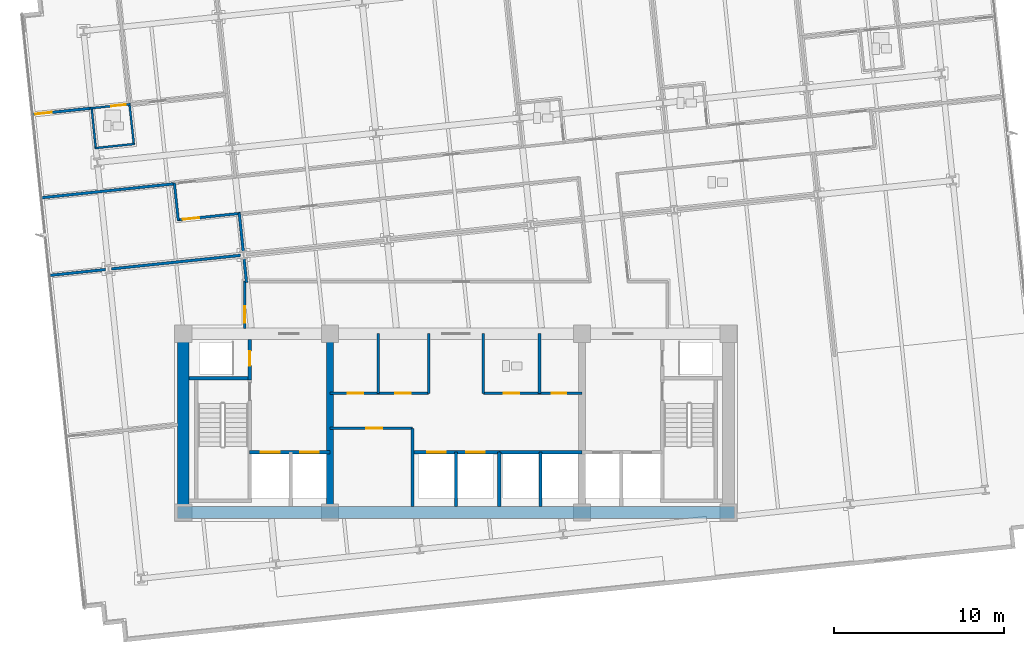
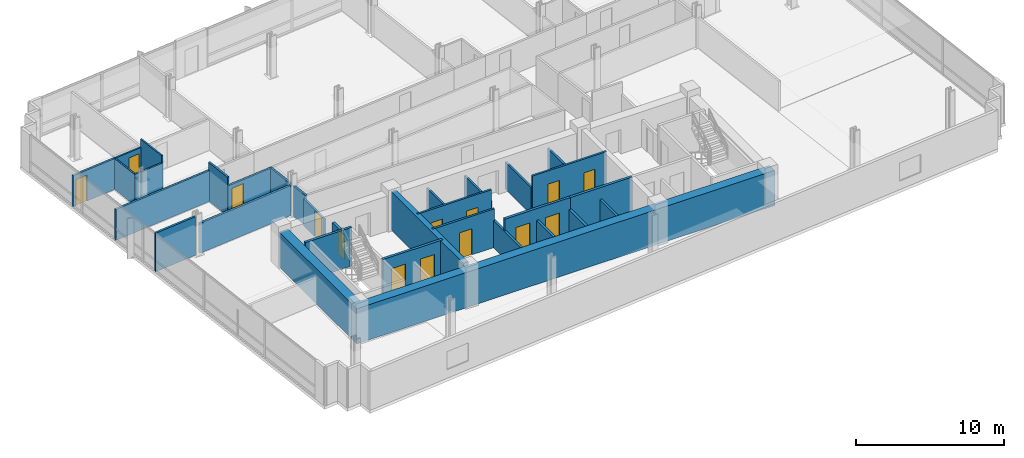
# One storey, part 10 of 18: 32 walls, 14 doors, 14 openings.
"""IFC4 building model written with IfcOpenShell, lengths in metres."""

import ifcopenshell
import ifcopenshell.guid

model = None  # the IFC model being written
_history = None  # IfcOwnerHistory: only IFC2X3 demands one
_inside = {}  # id of a spatial element -> (the spatial element, [elements in it])
_under = {}  # id of a project, library or spatial element -> (it, [spatial elements below it])
_declared = {}  # id of a project -> (the project, [libraries it declares])
_typed = {}  # id of a type object -> (the type object, [elements of that type])
_made_of = {}  # id of a material, layer set ... -> (it, [elements and type objects made of it])


def new_model(schema):
    """Start an empty IFC model of exactly this schema.

    Asked for "IFC4X3", IfcOpenShell would pick the latest addendum, in which some entities
    have other attributes; the version numbers below select the first issue.
    IFC2X3 requires an IfcOwnerHistory on every rooted entity: one is made here for all.
    """
    global model, _history
    if schema == "IFC4X3":
        model = ifcopenshell.file(schema_version=(4, 3, 0, 0))
    else:
        model = ifcopenshell.file(schema=schema)
    _inside.clear()
    _under.clear()
    _declared.clear()
    _typed.clear()
    _made_of.clear()
    _history = None
    if model.schema == "IFC2X3":
        org = make("IfcOrganization", Name="unknown")
        user = make(
            "IfcPersonAndOrganization",
            ThePerson=make("IfcPerson", FamilyName="unknown"),
            TheOrganization=org,
        )
        app = make(
            "IfcApplication",
            ApplicationDeveloper=org,
            Version="unknown",
            ApplicationFullName="unknown",
            ApplicationIdentifier="unknown",
        )
        _history = make(
            "IfcOwnerHistory",
            OwningUser=user,
            OwningApplication=app,
            ChangeAction="ADDED",
            CreationDate=0,
        )
    return model


def make(cls, **values):
    """One entity of the class cls with the attributes given. An attribute that is None is left unset."""
    return model.create_entity(
        cls, **{name: value for name, value in values.items() if value is not None}
    )


def rooted(cls, **values):
    """An entity with a GlobalId (a new one), such as an element, a storey or a relation."""
    return make(cls, GlobalId=ifcopenshell.guid.new(), OwnerHistory=_history, **values)


def si_unit(unit_type, name, prefix=None):
    """IfcSIUnit, for example si_unit("LENGTHUNIT", "METRE", prefix="MILLI")."""
    return make("IfcSIUnit", UnitType=unit_type, Prefix=prefix, Name=name)


def assignment(units):
    """IfcUnitAssignment: the units of a project."""
    return None if units is None else make("IfcUnitAssignment", Units=units)


def point(xyz):
    """IfcCartesianPoint."""
    return None if xyz is None else make("IfcCartesianPoint", Coordinates=xyz)


def direction(xyz):
    """IfcDirection."""
    return None if xyz is None else make("IfcDirection", DirectionRatios=xyz)


def frame(location, z_axis=None, x_axis=None):
    """IfcAxis2Placement3D, a coordinate frame: its origin and axes. An axis left out is left unset."""
    return make(
        "IfcAxis2Placement3D",
        Location=point(location),
        Axis=direction(z_axis),
        RefDirection=direction(x_axis),
    )


def frame_2d(location, x_axis=None):
    """IfcAxis2Placement2D, a coordinate frame in the plane: its origin and x axis."""
    return make(
        "IfcAxis2Placement2D", Location=point(location), RefDirection=direction(x_axis)
    )


def origin():
    """The frame at (0, 0, 0) with its axes left unset."""
    return frame((0.0, 0.0, 0.0))


def place(relative_to, where):
    """IfcLocalPlacement: puts the frame where relative to a parent placement (None: the world)."""
    return make(
        "IfcLocalPlacement", PlacementRelTo=relative_to, RelativePlacement=where
    )


def context(
    kind, dimensions, precision=None, world=None, true_north=None, identifier=None
):
    """IfcGeometricRepresentationContext, for example the 3D "Model" context."""
    return make(
        "IfcGeometricRepresentationContext",
        ContextIdentifier=identifier,
        ContextType=kind,
        CoordinateSpaceDimension=dimensions,
        Precision=precision,
        WorldCoordinateSystem=world,
        TrueNorth=true_north,
    )


def subcontext(parent, identifier, kind, view, scale=None):
    """IfcGeometricRepresentationSubContext, for example "Body" below "Model"."""
    return make(
        "IfcGeometricRepresentationSubContext",
        ContextIdentifier=identifier,
        ContextType=kind,
        ParentContext=parent,
        TargetScale=scale,
        TargetView=view,
    )


def project(units=None, contexts=None):
    """IfcProject with its units and contexts."""
    return rooted(
        "IfcProject",
        Name="project",
        RepresentationContexts=contexts,
        UnitsInContext=assignment(units),
    )


def spatial(cls, under=None, at=None, **own):
    """A site, building, storey or space (cls), placed at a placement, below another one or the project."""
    s = rooted(cls, ObjectPlacement=at, **own)
    if under is not None:
        _under.setdefault(under.id(), (under, []))[1].append(s)
    return s


def profile(cls, at=None, kind="AREA", **sizes):
    """A parametric profile (cls). Its sizes go by their IFC names, for example OverallWidth=200.0."""
    return make(cls, ProfileType=kind, Position=at, **sizes)


def rectangle(**sizes):
    """IfcRectangleProfileDef."""
    return profile("IfcRectangleProfileDef", **sizes)


def extrude(swept, where, along, depth):
    """IfcExtrudedAreaSolid: the profile swept, set in the frame where, extruded along a direction by depth."""
    return make(
        "IfcExtrudedAreaSolid",
        SweptArea=swept,
        Position=where,
        ExtrudedDirection=direction(along),
        Depth=depth,
    )


def shape(context_of_items, identifier, shape_type, items):
    """IfcShapeRepresentation: the items that make up one representation, for example the "Body"."""
    return make(
        "IfcShapeRepresentation",
        ContextOfItems=context_of_items,
        RepresentationIdentifier=identifier,
        RepresentationType=shape_type,
        Items=items,
    )


def material(Name=None, Category=None):
    """IfcMaterial."""
    return make("IfcMaterial", Name=Name, Category=Category)


def layer(
    of_material, thickness, ventilated=None, Name=None, Category=None, Priority=None
):
    """IfcMaterialLayer: one layer of a wall or slab, of a material (None: an air gap)."""
    return make(
        "IfcMaterialLayer",
        Material=of_material,
        LayerThickness=thickness,
        IsVentilated=ventilated,
        Name=Name,
        Category=Category,
        Priority=Priority,
    )


def layer_set(layers, Name=None):
    """IfcMaterialLayerSet."""
    return make("IfcMaterialLayerSet", MaterialLayers=layers, LayerSetName=Name)


def made_of(thing, what):
    """Note that an element or type object is made of a material, layer set ...; save() writes the relation."""
    if what is not None:
        _made_of.setdefault(what.id(), (what, []))[1].append(thing)
    return thing


def type_object(cls, material=None, **own):
    """A type object (cls), such as IfcWallType, which elements share."""
    return made_of(rooted(cls, **own), material)


def element(
    cls,
    number,
    at=None,
    inside=None,
    cuts=None,
    type_object=None,
    material=None,
    context=None,
    identifier="Body",
    shape_type=None,
    held_by="IfcProductDefinitionShape",
    body=None,
    shapes=None,
    **own,
):
    """One element of the class cls, such as IfcWall. Its Tag is "e" and its number.

    at: its placement. inside: the storey or other place that contains it. cuts: it is an
    opening in that element (IfcRelVoidsElement). A single representation is given by context,
    identifier, shape_type and body (its items); several are given by shapes. held_by: the class
    of the entity that holds the representations. save() writes the other relations.
    """
    e = rooted(cls, Tag="e%d" % number, ObjectPlacement=at, **own)
    if body is not None:
        shapes = [shape(context, identifier, shape_type, body)]
    if shapes is not None:
        e.Representation = make(held_by, Representations=shapes)
    if inside is not None:
        _inside.setdefault(inside.id(), (inside, []))[1].append(e)
    if cuts is not None:
        rooted(
            "IfcRelVoidsElement", RelatingBuildingElement=cuts, RelatedOpeningElement=e
        )
    if type_object is not None:
        _typed.setdefault(type_object.id(), (type_object, []))[1].append(e)
    return made_of(e, material)


def fill(opening, filler):
    """IfcRelFillsElement: the door or window that sits in an opening."""
    return rooted(
        "IfcRelFillsElement",
        RelatingOpeningElement=opening,
        RelatedBuildingElement=filler,
    )


def aggregate(whole, parts):
    """IfcRelAggregates: a whole, such as a stair, and the parts it consists of."""
    return rooted("IfcRelAggregates", RelatingObject=whole, RelatedObjects=parts)


def save(model, path):
    """Write the relations noted so far, then the file.

    IfcRelAggregates (storeys below a building ...), IfcRelContainedInSpatialStructure (elements
    in a storey), IfcRelDefinesByType, IfcRelAssociatesMaterial and IfcRelDeclares: one each for
    every whole, place, type object, material and project.
    """
    for whole, parts in _under.values():
        aggregate(whole, parts)
    for where, things in _inside.values():
        rooted(
            "IfcRelContainedInSpatialStructure",
            RelatedElements=things,
            RelatingStructure=where,
        )
    for kind, things in _typed.values():
        rooted("IfcRelDefinesByType", RelatedObjects=things, RelatingType=kind)
    for what, things in _made_of.values():
        rooted("IfcRelAssociatesMaterial", RelatedObjects=things, RelatingMaterial=what)
    for by, libraries in _declared.values():
        rooted("IfcRelDeclares", RelatingContext=by, RelatedDefinitions=libraries)
    model.write(path)


model = new_model("IFC4")

# Units and contexts
model_context = context("Model", 3, precision=1e-05, world=origin(), true_north=direction((0.0, 1.0)))
body_context = subcontext(model_context, "Body", "Model", "MODEL_VIEW")
ifc_project = project(units=[si_unit("LENGTHUNIT", "METRE"), si_unit("AREAUNIT", "SQUARE_METRE"), si_unit("VOLUMEUNIT", "CUBIC_METRE"), si_unit("PLANEANGLEUNIT", "RADIAN"), si_unit("MASSUNIT", "GRAM", prefix="KILO")], contexts=[model_context])

# Site, building, storey
site_placement = place(None, origin())
site = spatial("IfcSite", under=ifc_project, at=site_placement, CompositionType="ELEMENT")
building_placement = place(site_placement, origin())
building = spatial("IfcBuilding", under=site, at=building_placement, Name="Solmavex Isthmus Hotel", CompositionType="ELEMENT")
storey_placement = place(building_placement, frame((0.0, 0.0, 123.60009765625)))
storey = spatial("IfcBuildingStorey", under=building, at=storey_placement, Name="L33", CompositionType="ELEMENT", Elevation=123.60009765625)

# Wall, opening, door
ifc_material_1 = material(Name="Gypsum plasterboard lining", Category="gypsum")
ifc_layer_1 = layer(ifc_material_1, 0.159912109375)
ifc_layer_set_1 = layer_set([ifc_layer_1], Name="Gypsum plasterboard lining")
wall_type_1 = type_object("IfcWallType", Name="IW-COMP-160", PredefinedType="PARTITIONING", material=ifc_layer_set_1)
wall_1_placement = place(storey_placement, frame((-7.39990234375, -8.050048828125, 0.0), z_axis=(0.0, 0.0, 1.0), x_axis=(1.0, 0.0, 0.0)))
wall_1 = element("IfcWall", 1, at=wall_1_placement, inside=storey, type_object=wall_type_1, Name="Interior Partition Wall W-L33-REC-PLL-N", PredefinedType="PARTITIONING", context=body_context, shape_type="SweptSolid", body=[
    extrude(rectangle(XDim=4.849853515625, YDim=0.159912109375, at=frame_2d((2.4248046875, 0.0))), origin(), (0.0, 0.0, 1.0), 3.18994140625),
])
opening_1_placement = place(wall_1_placement, frame((2.125, 0.0, 0.0)))
opening_1 = element("IfcOpeningElement", 2, at=opening_1_placement, cuts=wall_1, Name="Opening ID-C095", PredefinedType="OPENING", context=body_context, shape_type="SweptSolid", body=[
    extrude(rectangle(XDim=0.949951171875, YDim=2.14990234375, at=frame_2d((0.47509765625, 1.074951171875))), frame((0.0, 0.08984375, 0.0), z_axis=(0.0, -1.0, 0.0), x_axis=(1.0, 0.0, 0.0)), (0.0, 0.0, 1.0), 0.179931640625),
])
ifc_material_2 = material(Name="Hardwood timber", Category="wood")
door_type_1 = type_object("IfcDoorType", Name="IDR-FD60-0950", OperationType="NOTDEFINED", PredefinedType="DOOR", material=ifc_material_2)
door_1_placement = place(opening_1_placement, origin())
door_1 = element("IfcDoor", 3, at=door_1_placement, inside=storey, type_object=door_type_1, Name="Linen Reserve Door L33", OperationType="SINGLE_SWING_LEFT", OverallHeight=2.14990234375, OverallWidth=0.949951171875, PredefinedType="DOOR", context=body_context, shape_type="SweptSolid", body=[
    extrude(rectangle(XDim=0.949951171875, YDim=2.14990234375, at=frame_2d((0.47509765625, 1.074951171875))), frame((0.0, 0.02490234375, 0.0), z_axis=(0.0, -1.0, 0.0), x_axis=(1.0, 0.0, 0.0)), (0.0, 0.0, 1.0), 0.050048828125),
])
fill(opening_1, door_1)

# Wall
wall_2_placement = place(storey_placement, frame((-2.550048828125, -12.64990234375, 0.0), z_axis=(0.0, 0.0, 1.0), x_axis=(0.0, 1.0, 0.0)))
element("IfcWall", 4, at=wall_2_placement, inside=storey, type_object=wall_type_1, Name="Interior Partition Wall W-L33-REC-PLL-E", PredefinedType="PARTITIONING", context=body_context, shape_type="SweptSolid", body=[
    extrude(rectangle(XDim=4.599853515625, YDim=0.159912109375, at=frame_2d((2.2998046875, 0.0))), origin(), (0.0, 0.0, 1.0), 2.224853515625),
])

# Wall, opening, door
wall_3_placement = place(storey_placement, frame((-24.876708984375, 10.36376953125, 0.0), z_axis=(0.0, 0.0, 1.0), x_axis=(0.994521206634, 0.104535015934, 0.0)))
wall_3 = element("IfcWall", 5, at=wall_3_placement, inside=storey, type_object=wall_type_1, Name="Interior Partition Wall W-L33-P022", PredefinedType="PARTITIONING", context=body_context, shape_type="SweptSolid", body=[
    extrude(rectangle(XDim=3.56396484375, YDim=0.159912109375, at=frame_2d((1.781982421875, 0.0))), origin(), (0.0, 0.0, 1.0), 2.55322265625),
])
opening_2_placement = place(wall_3_placement, frame((0.2099609375, 0.0, 0.0)))
opening_2 = element("IfcOpeningElement", 6, at=opening_2_placement, cuts=wall_3, Name="Opening ID-C095", PredefinedType="OPENING", context=body_context, shape_type="SweptSolid", body=[
    extrude(rectangle(XDim=0.949951171875, YDim=2.14990234375, at=frame_2d((0.47509765625, 1.074951171875))), frame((0.0, 0.08984375, 0.0), z_axis=(0.0, -1.0, 0.0), x_axis=(1.0, 0.0, 0.0)), (0.0, 0.0, 1.0), 0.179931640625),
])
door_2_placement = place(opening_2_placement, origin())
door_2 = element("IfcDoor", 7, at=door_2_placement, inside=storey, type_object=door_type_1, Name="Premier Corner Suite Bedroom Door L33-02", OperationType="SINGLE_SWING_RIGHT", OverallHeight=2.14990234375, OverallWidth=0.949951171875, PredefinedType="DOOR", context=body_context, shape_type="SweptSolid", body=[
    extrude(rectangle(XDim=0.949951171875, YDim=2.14990234375, at=frame_2d((0.47509765625, 1.074951171875))), frame((0.0, 0.02490234375, 0.0), z_axis=(0.0, -1.0, 0.0), x_axis=(1.0, 0.0, 0.0)), (0.0, 0.0, 1.0), 0.050048828125),
])
fill(opening_2, door_2)

# Walls
wall_4_placement = place(storey_placement, frame((-16.47802734375, 6.301513671875, 0.0), z_axis=(0.0, 0.0, 1.0), x_axis=(-0.994519786396, -0.104548526856, 0.0)))
element("IfcWall", 8, at=wall_4_placement, inside=storey, type_object=wall_type_1, Name="Interior Partition Wall W-L33-P029", PredefinedType="PARTITIONING", context=body_context, shape_type="SweptSolid", body=[
    extrude(rectangle(XDim=7.927978515625, YDim=0.159912109375, at=frame_2d((3.9638671875, 0.0))), origin(), (0.0, 0.0, 1.0), 2.55322265625),
])
wall_5_placement = place(storey_placement, frame((-12.718994140625, 4.594970703125, 0.0), z_axis=(0.0, 0.0, 1.0), x_axis=(0.104569435529, -0.994517588157, 0.0)))
element("IfcWall", 9, at=wall_5_placement, inside=storey, type_object=wall_type_1, Name="Interior Partition Wall W-L33-P059", PredefinedType="PARTITIONING", context=body_context, shape_type="SweptSolid", body=[
    extrude(rectangle(XDim=2.313720703125, YDim=0.159912109375, at=frame_2d((1.15673828125, 0.0))), origin(), (0.0, 0.0, 1.0), 2.4794921875),
])
wall_6_placement = place(storey_placement, frame((-20.558349609375, 1.267333984375, 0.0), z_axis=(0.0, 0.0, 1.0), x_axis=(-0.99451904707, -0.10455555946, 0.0)))
element("IfcWall", 10, at=wall_6_placement, inside=storey, type_object=wall_type_1, Name="Interior Partition Wall W-L33-P060", PredefinedType="PARTITIONING", context=body_context, shape_type="SweptSolid", body=[
    extrude(rectangle(XDim=3.34375, YDim=0.159912109375, at=frame_2d((1.671875, 0.0))), origin(), (0.0, 0.0, 1.0), 3.18994140625),
])
wall_7_placement = place(storey_placement, frame((-12.634033203125, 2.10009765625, 0.0), z_axis=(0.0, 0.0, 1.0), x_axis=(-0.994524056968, -0.104507894972, 0.0)))
element("IfcWall", 11, at=wall_7_placement, inside=storey, type_object=wall_type_1, Name="Interior Partition Wall W-L33-P061", PredefinedType="PARTITIONING", context=body_context, shape_type="SweptSolid", body=[
    extrude(rectangle(XDim=7.61572265625, YDim=0.159912109375, at=frame_2d((3.807861328125, 0.0))), origin(), (0.0, 0.0, 1.0), 2.4794921875),
])
wall_8_placement = place(storey_placement, frame((-12.289794921875, 0.51025390625, 0.0), z_axis=(0.0, 0.0, 1.0), x_axis=(-0.104534854339, 0.994521223619, 0.0)))
element("IfcWall", 12, at=wall_8_placement, inside=storey, type_object=wall_type_1, Name="Interior Partition Wall W-L33-P065", PredefinedType="PARTITIONING", context=body_context, shape_type="SweptSolid", body=[
    extrude(rectangle(XDim=1.44091796875, YDim=0.159912109375, at=frame_2d((0.720458984375, 0.0))), origin(), (0.0, 0.0, 1.0), 2.4794921875),
])

# Wall, openings, doors
ifc_layer_2 = layer(ifc_material_1, 0.14990234375)
ifc_layer_set_2 = layer_set([ifc_layer_2], Name="Gypsum plasterboard lining")
wall_type_2 = type_object("IfcWallType", Name="IW-CORR-150", PredefinedType="PARTITIONING", material=ifc_layer_set_2)
wall_9_placement = place(storey_placement, frame((-7.39990234375, -6.0, 0.0), z_axis=(0.0, 0.0, 1.0), x_axis=(1.0, 0.0, 0.0)))
wall_9 = element("IfcWall", 13, at=wall_9_placement, inside=storey, type_object=wall_type_2, Name="Interior Partition Wall W-L33-BOH-WS", PredefinedType="PARTITIONING", context=body_context, shape_type="SweptSolid", body=[
    extrude(rectangle(XDim=5.7998046875, YDim=0.14990234375, at=frame_2d((2.89990234375, 0.0))), origin(), (0.0, 0.0, 1.0), 3.18994140625),
])
opening_3_placement = place(wall_9_placement, frame((1.050048828125, 0.0, 0.0)))
opening_3 = element("IfcOpeningElement", 14, at=opening_3_placement, cuts=wall_9, Name="Opening ID-C090", PredefinedType="OPENING", context=body_context, shape_type="SweptSolid", body=[
    extrude(rectangle(XDim=0.89990234375, YDim=2.10009765625, at=frame_2d((0.449951171875, 1.050048828125))), frame((0.0, 0.0849609375, 0.0), z_axis=(0.0, -1.0, 0.0), x_axis=(1.0, 0.0, 0.0)), (0.0, 0.0, 1.0), 0.169921875),
])
opening_4_placement = place(wall_9_placement, frame((3.85009765625, 0.0, 0.0)))
opening_4 = element("IfcOpeningElement", 15, at=opening_4_placement, cuts=wall_9, Name="Opening ID-C090", PredefinedType="OPENING", context=body_context, shape_type="SweptSolid", body=[
    extrude(rectangle(XDim=0.89990234375, YDim=2.10009765625, at=frame_2d((0.449951171875, 1.050048828125))), frame((0.0, 0.0849609375, 0.0), z_axis=(0.0, -1.0, 0.0), x_axis=(1.0, 0.0, 0.0)), (0.0, 0.0, 1.0), 0.169921875),
])
door_type_2 = type_object("IfcDoorType", Name="IDR-FD60-0900", OperationType="NOTDEFINED", PredefinedType="DOOR", material=ifc_material_2)
door_3_placement = place(opening_3_placement, frame((0.89990234375, 0.0, 0.0), z_axis=(0.0, 0.0, 1.0), x_axis=(-1.0, 0.0, 0.0)))
door_3 = element("IfcDoor", 16, at=door_3_placement, inside=storey, type_object=door_type_2, Name="Linen Room Door L33", OperationType="SINGLE_SWING_LEFT", OverallHeight=2.10009765625, OverallWidth=0.89990234375, PredefinedType="DOOR", context=body_context, shape_type="SweptSolid", body=[
    extrude(rectangle(XDim=0.89990234375, YDim=2.10009765625, at=frame_2d((0.449951171875, 1.050048828125))), frame((0.0, 0.02490234375, 0.0), z_axis=(0.0, -1.0, 0.0), x_axis=(1.0, 0.0, 0.0)), (0.0, 0.0, 1.0), 0.050048828125),
])
fill(opening_3, door_3)
door_4_placement = place(opening_4_placement, frame((0.89990234375, 0.0, 0.0), z_axis=(0.0, 0.0, 1.0), x_axis=(-1.0, 0.0, 0.0)))
door_4 = element("IfcDoor", 17, at=door_4_placement, inside=storey, type_object=door_type_2, Name="Ice Pantry Door L33", OperationType="SINGLE_SWING_RIGHT", OverallHeight=2.10009765625, OverallWidth=0.89990234375, PredefinedType="DOOR", context=body_context, shape_type="SweptSolid", body=[
    extrude(rectangle(XDim=0.89990234375, YDim=2.10009765625, at=frame_2d((0.449951171875, 1.050048828125))), frame((0.0, 0.02490234375, 0.0), z_axis=(0.0, -1.0, 0.0), x_axis=(1.0, 0.0, 0.0)), (0.0, 0.0, 1.0), 0.050048828125),
])
fill(opening_4, door_4)

# Wall
wall_10_placement = place(storey_placement, frame((-1.60009765625, -6.0, 0.0), z_axis=(0.0, 0.0, 1.0), x_axis=(0.0, 1.0, 0.0)))
element("IfcWall", 18, at=wall_10_placement, inside=storey, type_object=wall_type_2, Name="Interior Partition Wall W-L33-BOH-WE", PredefinedType="PARTITIONING", context=body_context, shape_type="SweptSolid", body=[
    extrude(rectangle(XDim=3.5, YDim=0.14990234375, at=frame_2d((1.75, 0.0))), origin(), (0.0, 0.0, 1.0), 2.224853515625),
])

# Wall, openings, doors
wall_11_placement = place(storey_placement, frame((1.60009765625, -6.0, 0.0), z_axis=(0.0, 0.0, 1.0), x_axis=(1.0, 0.0, 0.0)))
wall_11 = element("IfcWall", 19, at=wall_11_placement, inside=storey, type_object=wall_type_2, Name="Interior Partition Wall W-L33-BOH-ES", PredefinedType="PARTITIONING", context=body_context, shape_type="SweptSolid", body=[
    extrude(rectangle(XDim=5.7998046875, YDim=0.14990234375, at=frame_2d((2.89990234375, 0.0))), origin(), (0.0, 0.0, 1.0), 3.18994140625),
])
opening_5_placement = place(wall_11_placement, frame((1.199951171875, 0.0, 0.0)))
opening_5 = element("IfcOpeningElement", 20, at=opening_5_placement, cuts=wall_11, Name="Opening ID-C090", PredefinedType="OPENING", context=body_context, shape_type="SweptSolid", body=[
    extrude(rectangle(XDim=0.89990234375, YDim=2.10009765625, at=frame_2d((0.449951171875, 1.050048828125))), frame((0.0, 0.0849609375, 0.0), z_axis=(0.0, -1.0, 0.0), x_axis=(1.0, 0.0, 0.0)), (0.0, 0.0, 1.0), 0.169921875),
])
opening_6_placement = place(wall_11_placement, frame((4.02490234375, 0.0, 0.0)))
opening_6 = element("IfcOpeningElement", 21, at=opening_6_placement, cuts=wall_11, Name="Opening ID-R085", PredefinedType="OPENING", context=body_context, shape_type="SweptSolid", body=[
    extrude(rectangle(XDim=0.85009765625, YDim=2.050048828125, at=frame_2d((0.425048828125, 1.02490234375))), frame((0.0, 0.0849609375, 0.0), z_axis=(0.0, -1.0, 0.0), x_axis=(1.0, 0.0, 0.0)), (0.0, 0.0, 1.0), 0.169921875),
])
ifc_material_3 = material(Name="Steel ASTM A500 Grade C", Category="steel")
door_type_3 = type_object("IfcDoorType", Name="IDR-FD60-0850", OperationType="NOTDEFINED", PredefinedType="DOOR", material=ifc_material_3)
door_5_placement = place(opening_6_placement, frame((0.85009765625, 0.0, 0.0), z_axis=(0.0, 0.0, 1.0), x_axis=(-1.0, 0.0, 0.0)))
door_5 = element("IfcDoor", 22, at=door_5_placement, inside=storey, type_object=door_type_3, Name="IT Room Door L33", OperationType="SINGLE_SWING_RIGHT", OverallHeight=2.050048828125, OverallWidth=0.85009765625, PredefinedType="DOOR", context=body_context, shape_type="SweptSolid", body=[
    extrude(rectangle(XDim=0.85009765625, YDim=2.050048828125, at=frame_2d((0.425048828125, 1.02490234375))), frame((0.0, 0.02490234375, 0.0), z_axis=(0.0, -1.0, 0.0), x_axis=(1.0, 0.0, 0.0)), (0.0, 0.0, 1.0), 0.050048828125),
])
fill(opening_6, door_5)
door_6_placement = place(opening_5_placement, frame((0.89990234375, 0.0, 0.0), z_axis=(0.0, 0.0, 1.0), x_axis=(-1.0, 0.0, 0.0)))
door_6 = element("IfcDoor", 23, at=door_6_placement, inside=storey, type_object=door_type_2, Name="Staff Restroom Door L33", OperationType="SINGLE_SWING_LEFT", OverallHeight=2.10009765625, OverallWidth=0.89990234375, PredefinedType="DOOR", context=body_context, shape_type="SweptSolid", body=[
    extrude(rectangle(XDim=0.89990234375, YDim=2.10009765625, at=frame_2d((0.449951171875, 1.050048828125))), frame((0.0, 0.02490234375, 0.0), z_axis=(0.0, -1.0, 0.0), x_axis=(1.0, 0.0, 0.0)), (0.0, 0.0, 1.0), 0.050048828125),
])
fill(opening_5, door_6)

# Wall
wall_12_placement = place(storey_placement, frame((1.60009765625, -6.0, 0.0), z_axis=(0.0, 0.0, 1.0), x_axis=(0.0, 1.0, 0.0)))
element("IfcWall", 24, at=wall_12_placement, inside=storey, type_object=wall_type_2, Name="Interior Partition Wall W-L33-BOH-EW", PredefinedType="PARTITIONING", context=body_context, shape_type="SweptSolid", body=[
    extrude(rectangle(XDim=3.5, YDim=0.14990234375, at=frame_2d((1.75, 0.0))), origin(), (0.0, 0.0, 1.0), 2.224853515625),
])

# Wall, opening, door
wall_13_placement = place(storey_placement, frame((-12.63330078125, 4.563720703125, 0.0), z_axis=(0.0, 0.0, 1.0), x_axis=(-0.994525920558, -0.104490159046, 0.0)))
wall_13 = element("IfcWall", 25, at=wall_13_placement, inside=storey, type_object=wall_type_2, Name="Interior Partition Wall W-L33-P010", PredefinedType="PARTITIONING", context=body_context, shape_type="SweptSolid", body=[
    extrude(rectangle(XDim=3.721923828125, YDim=0.14990234375, at=frame_2d((1.86083984375, 0.0))), origin(), (0.0, 0.0, 1.0), 2.4794921875),
])
opening_7_placement = place(wall_13_placement, frame((2.456787109375, 0.0, 0.0)))
opening_7 = element("IfcOpeningElement", 26, at=opening_7_placement, cuts=wall_13, Name="Opening ID-C095", PredefinedType="OPENING", context=body_context, shape_type="SweptSolid", body=[
    extrude(rectangle(XDim=0.949951171875, YDim=2.14990234375, at=frame_2d((0.47509765625, 1.074951171875))), frame((0.0, 0.0849609375, 0.0), z_axis=(0.0, -1.0, 0.0), x_axis=(1.0, 0.0, 0.0)), (0.0, 0.0, 1.0), 0.169921875),
])
door_7_placement = place(opening_7_placement, frame((0.949951171875, 0.0, 0.0), z_axis=(0.0, 0.0, 1.0), x_axis=(-1.0, 0.0, 0.0)))
door_7 = element("IfcDoor", 27, at=door_7_placement, inside=storey, type_object=door_type_1, Name="Wellness Treatment Room Door L33-15", OperationType="SINGLE_SWING_LEFT", OverallHeight=2.14990234375, OverallWidth=0.949951171875, PredefinedType="DOOR", context=body_context, shape_type="SweptSolid", body=[
    extrude(rectangle(XDim=0.949951171875, YDim=2.14990234375, at=frame_2d((0.47509765625, 1.074951171875))), frame((0.0, 0.02490234375, 0.0), z_axis=(0.0, -1.0, 0.0), x_axis=(1.0, 0.0, 0.0)), (0.0, 0.0, 1.0), 0.050048828125),
])
fill(opening_7, door_7)

# Wall
wall_14_placement = place(storey_placement, frame((-16.291015625, 4.13916015625, 0.0), z_axis=(0.0, 0.0, 1.0), x_axis=(-0.104512255544, 0.994523598735, 0.0)))
element("IfcWall", 28, at=wall_14_placement, inside=storey, type_object=wall_type_2, Name="Interior Partition Wall W-L33-P011", PredefinedType="PARTITIONING", context=body_context, shape_type="SweptSolid", body=[
    extrude(rectangle(XDim=2.2099609375, YDim=0.14990234375, at=frame_2d((1.10498046875, 0.0))), origin(), (0.0, 0.0, 1.0), 3.18994140625),
])

# Wall, opening, door
wall_15_placement = place(storey_placement, frame((-12.39990234375, -2.18994140625, 0.0), z_axis=(0.0, 0.0, 1.0), x_axis=(0.0, 1.0, 0.0)))
wall_15 = element("IfcWall", 29, at=wall_15_placement, inside=storey, type_object=wall_type_2, Name="Interior Partition Wall W-L33-P016", PredefinedType="PARTITIONING", context=body_context, shape_type="SweptSolid", body=[
    extrude(rectangle(XDim=2.780029296875, YDim=0.14990234375, at=frame_2d((1.39013671875, 0.0))), origin(), (0.0, 0.0, 1.0), 2.224853515625),
])
opening_8_placement = place(wall_15_placement, frame((0.347900390625, 0.0, 0.0)))
opening_8 = element("IfcOpeningElement", 30, at=opening_8_placement, cuts=wall_15, Name="Opening ID-C095", PredefinedType="OPENING", context=body_context, shape_type="SweptSolid", body=[
    extrude(rectangle(XDim=0.949951171875, YDim=2.14990234375, at=frame_2d((0.47509765625, 1.074951171875))), frame((0.0, 0.0849609375, 0.0), z_axis=(0.0, -1.0, 0.0), x_axis=(1.0, 0.0, 0.0)), (0.0, 0.0, 1.0), 0.169921875),
])
door_8_placement = place(opening_8_placement, frame((0.949951171875, 0.0, 0.0), z_axis=(0.0, 0.0, 1.0), x_axis=(-1.0, 0.0, 0.0)))
door_8 = element("IfcDoor", 31, at=door_8_placement, inside=storey, type_object=door_type_1, Name="Executive Boardroom Door L33-18", OperationType="SINGLE_SWING_RIGHT", OverallHeight=2.14990234375, OverallWidth=0.949951171875, PredefinedType="DOOR", context=body_context, shape_type="SweptSolid", body=[
    extrude(rectangle(XDim=0.949951171875, YDim=2.14990234375, at=frame_2d((0.47509765625, 1.074951171875))), frame((0.0, 0.02490234375, 0.0), z_axis=(0.0, -1.0, 0.0), x_axis=(1.0, 0.0, 0.0)), (0.0, 0.0, 1.0), 0.050048828125),
])
fill(opening_8, door_8)

# Walls
ifc_layer_3 = layer(ifc_material_1, 0.1201171875)
ifc_layer_set_3 = layer_set([ifc_layer_3], Name="Gypsum plasterboard lining")
wall_type_3 = type_object("IfcWallType", Name="IW-PART-120", PredefinedType="PARTITIONING", material=ifc_layer_set_3)
for number, where, z_axis, x_axis, name in (
    (32, (-4.550048828125, -6.0, 0.0), (0.0, 0.0, 1.0), (0.0, 1.0, 0.0), "Interior Partition Wall W-L33-BOH-WM2"),
    (33, (4.89990234375, -6.0, 0.0), (0.0, 0.0, 1.0), (0.0, 1.0, 0.0), "Interior Partition Wall W-L33-BOH-EM2"),
):
    element("IfcWall", number, at=place(storey_placement, frame(where, z_axis=z_axis, x_axis=x_axis)), inside=storey, type_object=wall_type_3, Name=name, PredefinedType="PARTITIONING", context=body_context, shape_type="SweptSolid", body=[
        extrude(rectangle(XDim=3.5, YDim=0.14990234375, at=frame_2d((1.75, 0.0))), origin(), (0.0, 0.0, 1.0), 2.224853515625),
    ])
wall_16_placement = place(storey_placement, frame((-21.3759765625, 10.77197265625, 0.0), z_axis=(0.0, 0.0, 1.0), x_axis=(0.100269653479, -0.994960299003, 0.0)))
element("IfcWall", 34, at=wall_16_placement, inside=storey, type_object=wall_type_3, Name="Interior Partition Wall W-L33-P024", PredefinedType="PARTITIONING", context=body_context, shape_type="SweptSolid", body=[
    extrude(rectangle(XDim=2.429931640625, YDim=0.1201171875, at=frame_2d((1.21484375, 0.0))), origin(), (0.0, 0.0, 1.0), 2.55322265625),
])
wall_17_placement = place(storey_placement, frame((-21.176025390625, 8.3896484375, 0.0), z_axis=(0.0, 0.0, 1.0), x_axis=(0.994516930255, 0.104575692382, 0.0)))
element("IfcWall", 35, at=wall_17_placement, inside=storey, type_object=wall_type_3, Name="Interior Partition Wall W-L33-P025", PredefinedType="PARTITIONING", context=body_context, shape_type="SweptSolid", body=[
    extrude(rectangle(XDim=2.329833984375, YDim=0.1201171875, at=frame_2d((1.1650390625, 0.0))), origin(), (0.0, 0.0, 1.0), 2.55322265625),
])
wall_18_placement = place(storey_placement, frame((-18.894287109375, 8.58935546875, 0.0), z_axis=(0.0, 0.0, 1.0), x_axis=(-0.108711078051, 0.994073388392, 0.0)))
element("IfcWall", 36, at=wall_18_placement, inside=storey, type_object=wall_type_3, Name="Interior Partition Wall W-L33-P026", PredefinedType="PARTITIONING", context=body_context, shape_type="SweptSolid", body=[
    extrude(rectangle(XDim=2.429931640625, YDim=0.1201171875, at=frame_2d((1.21484375, 0.0))), origin(), (0.0, 0.0, 1.0), 3.18994140625),
])

# Wall, opening, door
wall_19_placement = place(storey_placement, frame((-19.1044921875, 10.970458984375, 0.0), z_axis=(0.0, 0.0, 1.0), x_axis=(-0.994516727228, -0.104577623149, 0.0)))
wall_19 = element("IfcWall", 37, at=wall_19_placement, inside=storey, type_object=wall_type_3, Name="Interior Partition Wall W-L33-P031", PredefinedType="PARTITIONING", context=body_context, shape_type="SweptSolid", body=[
    extrude(rectangle(XDim=2.371826171875, YDim=0.1201171875, at=frame_2d((1.18603515625, 0.0))), origin(), (0.0, 0.0, 1.0), 2.55322265625),
])
opening_9_placement = place(wall_19_placement, frame((0.27978515625, 0.0, 0.0)))
opening_9 = element("IfcOpeningElement", 38, at=opening_9_placement, cuts=wall_19, Name="Opening ID-U085", PredefinedType="OPENING", context=body_context, shape_type="SweptSolid", body=[
    extrude(rectangle(XDim=0.85009765625, YDim=2.10009765625, at=frame_2d((0.425048828125, 1.050048828125))), frame((0.0, 0.070068359375, 0.0), z_axis=(0.0, -1.0, 0.0), x_axis=(1.0, 0.0, 0.0)), (0.0, 0.0, 1.0), 0.14013671875),
])
door_type_4 = type_object("IfcDoorType", Name="IDR-UNR-0850", OperationType="NOTDEFINED", PredefinedType="DOOR", material=ifc_material_2)
door_9_placement = place(opening_9_placement, frame((0.85009765625, 0.0, 0.0), z_axis=(0.0, 0.0, 1.0), x_axis=(-1.0, 0.0, 0.0)))
door_9 = element("IfcDoor", 39, at=door_9_placement, inside=storey, type_object=door_type_4, Name="En-suite Bathroom Door L33-04", OperationType="SINGLE_SWING_RIGHT", OverallHeight=2.10009765625, OverallWidth=0.85009765625, PredefinedType="DOOR", context=body_context, shape_type="SweptSolid", body=[
    extrude(rectangle(XDim=0.85009765625, YDim=2.10009765625, at=frame_2d((0.425048828125, 1.050048828125))), frame((0.0, 0.02490234375, 0.0), z_axis=(0.0, -1.0, 0.0), x_axis=(1.0, 0.0, 0.0)), (0.0, 0.0, 1.0), 0.050048828125),
])
fill(opening_9, door_9)

# Walls
ifc_material_4 = material(Name="Concrete C40/50", Category="concrete")
ifc_layer_4 = layer(ifc_material_4, 0.179931640625)
ifc_layer_set_4 = layer_set([ifc_layer_4], Name="Concrete C40/50")
wall_type_4 = type_object("IfcWallType", Name="IW-SHAFT-180", PredefinedType="PARTITIONING", material=ifc_layer_set_4)
for number, where, z_axis, x_axis, name in (
    (40, (0.0, -12.64990234375, 0.0), (0.0, 0.0, 1.0), (0.0, 1.0, 0.0), "Interior Partition Wall W-L33-SH-PLM-M"),
    (41, (4.949951171875, -12.64990234375, 0.0), (0.0, 0.0, 1.0), (0.0, 1.0, 0.0), "Interior Partition Wall W-L33-SH-PLH-M"),
):
    element("IfcWall", number, at=place(storey_placement, frame(where, z_axis=z_axis, x_axis=x_axis)), inside=storey, type_object=wall_type_4, Name=name, PredefinedType="PARTITIONING", context=body_context, shape_type="SweptSolid", body=[
        extrude(rectangle(XDim=3.199951171875, YDim=0.179931640625, at=frame_2d((1.60009765625, 0.0))), origin(), (0.0, 0.0, 1.0), 2.224853515625),
    ])

# Wall, opening, door
ifc_layer_5 = layer(ifc_material_4, 0.199951171875)
ifc_layer_set_5 = layer_set([ifc_layer_5], Name="Concrete C40/50")
wall_type_5 = type_object("IfcWallType", Name="IW-SHAFT-200", PredefinedType="PARTITIONING", material=ifc_layer_set_5)
wall_20_placement = place(storey_placement, frame((-12.10009765625, -5.199951171875, 0.0), z_axis=(0.0, 0.0, 1.0), x_axis=(0.0, 1.0, 0.0)))
wall_20 = element("IfcWall", 42, at=wall_20_placement, inside=storey, type_object=wall_type_5, Name="Interior Partition Wall W-L33-RSW-E", PredefinedType="PARTITIONING", context=body_context, shape_type="SweptSolid", body=[
    extrude(rectangle(XDim=2.349853515625, YDim=0.199951171875, at=frame_2d((1.1748046875, 0.0))), origin(), (0.0, 0.0, 1.0), 2.224853515625),
])
opening_10_placement = place(wall_20_placement, frame((0.824951171875, 0.0, 0.0)))
opening_10 = element("IfcOpeningElement", 43, at=opening_10_placement, cuts=wall_20, Name="Opening ID-R085", PredefinedType="OPENING", context=body_context, shape_type="SweptSolid", body=[
    extrude(rectangle(XDim=0.85009765625, YDim=2.050048828125, at=frame_2d((0.425048828125, 1.02490234375))), frame((0.0, 0.10986328125, 0.0), z_axis=(0.0, -1.0, 0.0), x_axis=(1.0, 0.0, 0.0)), (0.0, 0.0, 1.0), 0.219970703125),
])
door_10_placement = place(opening_10_placement, origin())
door_10 = element("IfcDoor", 44, at=door_10_placement, inside=storey, type_object=door_type_3, Name="Electrical Riser Door L33", OperationType="SINGLE_SWING_RIGHT", OverallHeight=2.050048828125, OverallWidth=0.85009765625, PredefinedType="DOOR", context=body_context, shape_type="SweptSolid", body=[
    extrude(rectangle(XDim=0.85009765625, YDim=2.050048828125, at=frame_2d((0.425048828125, 1.02490234375))), frame((0.0, 0.02490234375, 0.0), z_axis=(0.0, -1.0, 0.0), x_axis=(1.0, 0.0, 0.0)), (0.0, 0.0, 1.0), 0.050048828125),
])
fill(opening_10, door_10)

# Wall, openings, doors
wall_21_placement = place(storey_placement, frame((-12.10009765625, -9.449951171875, 0.0), z_axis=(0.0, 0.0, 1.0), x_axis=(1.0, 0.0, 0.0)))
wall_21 = element("IfcWall", 45, at=wall_21_placement, inside=storey, type_object=wall_type_5, Name="Interior Partition Wall W-L33-FFLW-S", PredefinedType="PARTITIONING", context=body_context, shape_type="SweptSolid", body=[
    extrude(rectangle(XDim=4.7001953125, YDim=0.199951171875, at=frame_2d((2.35009765625, 0.0))), origin(), (0.0, 0.0, 1.0), 3.18994140625),
])
opening_11_placement = place(wall_21_placement, frame((0.64990234375, 0.0, 0.0)))
opening_11 = element("IfcOpeningElement", 46, at=opening_11_placement, cuts=wall_21, Name="Opening LD-FF", PredefinedType="OPENING", context=body_context, shape_type="SweptSolid", body=[
    extrude(rectangle(XDim=1.10009765625, YDim=2.199951171875, at=frame_2d((0.550048828125, 1.10009765625))), frame((0.0, 0.10986328125, 0.0), z_axis=(0.0, -1.0, 0.0), x_axis=(1.0, 0.0, 0.0)), (0.0, 0.0, 1.0), 0.219970703125),
])
opening_12_placement = place(wall_21_placement, frame((2.949951171875, 0.0, 0.0)))
opening_12 = element("IfcOpeningElement", 47, at=opening_12_placement, cuts=wall_21, Name="Opening LD-SV", PredefinedType="OPENING", context=body_context, shape_type="SweptSolid", body=[
    extrude(rectangle(XDim=1.10009765625, YDim=2.199951171875, at=frame_2d((0.550048828125, 1.10009765625))), frame((0.0, 0.10986328125, 0.0), z_axis=(0.0, -1.0, 0.0), x_axis=(1.0, 0.0, 0.0)), (0.0, 0.0, 1.0), 0.219970703125),
])
ifc_material_5 = material(Name="Stainless steel 316", Category="steel")
door_type_5 = type_object("IfcDoorType", Name="LDR-FF-1100", OperationType="NOTDEFINED", PredefinedType="DOOR", material=ifc_material_5)
door_11_placement = place(opening_11_placement, origin())
door_11 = element("IfcDoor", 48, at=door_11_placement, inside=storey, type_object=door_type_5, Name="Lift Landing Door FFL-1 L33", OperationType="SLIDING_TO_LEFT", OverallHeight=2.199951171875, OverallWidth=1.10009765625, PredefinedType="DOOR", context=body_context, shape_type="SweptSolid", body=[
    extrude(rectangle(XDim=1.10009765625, YDim=2.199951171875, at=frame_2d((0.550048828125, 1.10009765625))), frame((0.0, 0.02490234375, 0.0), z_axis=(0.0, -1.0, 0.0), x_axis=(1.0, 0.0, 0.0)), (0.0, 0.0, 1.0), 0.050048828125),
])
fill(opening_11, door_11)
door_type_6 = type_object("IfcDoorType", Name="LDR-SV-1100", OperationType="NOTDEFINED", PredefinedType="DOOR", material=ifc_material_5)
door_12_placement = place(opening_12_placement, origin())
door_12 = element("IfcDoor", 49, at=door_12_placement, inside=storey, type_object=door_type_6, Name="Lift Landing Door SVL-1 L33", OperationType="SLIDING_TO_RIGHT", OverallHeight=2.199951171875, OverallWidth=1.10009765625, PredefinedType="DOOR", context=body_context, shape_type="SweptSolid", body=[
    extrude(rectangle(XDim=1.10009765625, YDim=2.199951171875, at=frame_2d((0.550048828125, 1.10009765625))), frame((0.0, 0.02490234375, 0.0), z_axis=(0.0, -1.0, 0.0), x_axis=(1.0, 0.0, 0.0)), (0.0, 0.0, 1.0), 0.050048828125),
])
fill(opening_12, door_12)

wall_22_placement = place(storey_placement, frame((-2.550048828125, -9.449951171875, 0.0), z_axis=(0.0, 0.0, 1.0), x_axis=(1.0, 0.0, 0.0)))
wall_22 = element("IfcWall", 50, at=wall_22_placement, inside=storey, type_object=wall_type_5, Name="Interior Partition Wall W-L33-SH-PLM", PredefinedType="PARTITIONING", context=body_context, shape_type="SweptSolid", body=[
    extrude(rectangle(XDim=5.10009765625, YDim=0.199951171875, at=frame_2d((2.550048828125, 0.0))), origin(), (0.0, 0.0, 1.0), 3.18994140625),
])
opening_13_placement = place(wall_22_placement, frame((0.85009765625, 0.0, 0.0)))
opening_13 = element("IfcOpeningElement", 51, at=opening_13_placement, cuts=wall_22, Name="Opening LD-PL", PredefinedType="OPENING", context=body_context, shape_type="SweptSolid", body=[
    extrude(rectangle(XDim=1.10009765625, YDim=2.199951171875, at=frame_2d((0.550048828125, 1.10009765625))), frame((0.0, 0.10986328125, 0.0), z_axis=(0.0, -1.0, 0.0), x_axis=(1.0, 0.0, 0.0)), (0.0, 0.0, 1.0), 0.219970703125),
])
opening_14_placement = place(wall_22_placement, frame((3.14990234375, 0.0, 0.0)))
opening_14 = element("IfcOpeningElement", 52, at=opening_14_placement, cuts=wall_22, Name="Opening LD-PL", PredefinedType="OPENING", context=body_context, shape_type="SweptSolid", body=[
    extrude(rectangle(XDim=1.10009765625, YDim=2.199951171875, at=frame_2d((0.550048828125, 1.10009765625))), frame((0.0, 0.10986328125, 0.0), z_axis=(0.0, -1.0, 0.0), x_axis=(1.0, 0.0, 0.0)), (0.0, 0.0, 1.0), 0.219970703125),
])
door_type_7 = type_object("IfcDoorType", Name="LDR-PL-1100", OperationType="NOTDEFINED", PredefinedType="DOOR", material=ifc_material_5)
door_13_placement = place(opening_13_placement, origin())
door_13 = element("IfcDoor", 53, at=door_13_placement, inside=storey, type_object=door_type_7, Name="Lift Landing Door PLM1 L33", OperationType="SLIDING_TO_RIGHT", OverallHeight=2.199951171875, OverallWidth=1.10009765625, PredefinedType="DOOR", context=body_context, shape_type="SweptSolid", body=[
    extrude(rectangle(XDim=1.10009765625, YDim=2.199951171875, at=frame_2d((0.550048828125, 1.10009765625))), frame((0.0, 0.02490234375, 0.0), z_axis=(0.0, -1.0, 0.0), x_axis=(1.0, 0.0, 0.0)), (0.0, 0.0, 1.0), 0.050048828125),
])
fill(opening_13, door_13)
door_14_placement = place(opening_14_placement, origin())
door_14 = element("IfcDoor", 54, at=door_14_placement, inside=storey, type_object=door_type_7, Name="Lift Landing Door PLM2 L33", OperationType="SLIDING_TO_RIGHT", OverallHeight=2.199951171875, OverallWidth=1.10009765625, PredefinedType="DOOR", context=body_context, shape_type="SweptSolid", body=[
    extrude(rectangle(XDim=1.10009765625, YDim=2.199951171875, at=frame_2d((0.550048828125, 1.10009765625))), frame((0.0, 0.02490234375, 0.0), z_axis=(0.0, -1.0, 0.0), x_axis=(1.0, 0.0, 0.0)), (0.0, 0.0, 1.0), 0.050048828125),
])
fill(opening_14, door_14)

# Walls
wall_23_placement = place(storey_placement, frame((2.550048828125, -12.64990234375, 0.0), z_axis=(0.0, 0.0, 1.0), x_axis=(0.0, 1.0, 0.0)))
element("IfcWall", 55, at=wall_23_placement, inside=storey, type_object=wall_type_5, Name="Interior Partition Wall W-L33-SH-PLM-E", PredefinedType="PARTITIONING", context=body_context, shape_type="SweptSolid", body=[
    extrude(rectangle(XDim=3.199951171875, YDim=0.199951171875, at=frame_2d((1.60009765625, 0.0))), origin(), (0.0, 0.0, 1.0), 2.224853515625),
])
wall_24_placement = place(storey_placement, frame((2.550048828125, -9.449951171875, 0.0), z_axis=(0.0, 0.0, 1.0), x_axis=(1.0, 0.0, 0.0)))
element("IfcWall", 56, at=wall_24_placement, inside=storey, type_object=wall_type_5, Name="Interior Partition Wall W-L33-SH-PLH", PredefinedType="PARTITIONING", context=body_context, shape_type="SweptSolid", body=[
    extrude(rectangle(XDim=4.849853515625, YDim=0.199951171875, at=frame_2d((2.4248046875, 0.0))), origin(), (0.0, 0.0, 1.0), 3.18994140625),
])
ifc_material_6 = material(Name="Concrete C60/75", Category="concrete")
ifc_layer_6 = layer(ifc_material_6, 0.39990234375)
ifc_layer_set_6 = layer_set([ifc_layer_6], Name="Concrete C60/75")
wall_type_6 = type_object("IfcWallType", Name="WALL-CW-400M", PredefinedType="SHEAR", material=ifc_layer_set_6)
wall_25_placement = place(storey_placement, frame((-7.39990234375, -12.64990234375, 0.0), z_axis=(0.0, 0.0, 1.0), x_axis=(0.0, 1.0, 0.0)))
element("IfcWall", 57, at=wall_25_placement, inside=storey, type_object=wall_type_6, Name="Core Cross Shear Wall C1 L33", PredefinedType="SHEAR", context=body_context, shape_type="SweptSolid", body=[
    extrude(rectangle(XDim=9.7998046875, YDim=0.39990234375, at=frame_2d((4.89990234375, 0.0))), origin(), (0.0, 0.0, 1.0), 3.18994140625),
])
ifc_layer_7 = layer(ifc_material_6, 0.699951171875)
ifc_layer_set_7 = layer_set([ifc_layer_7], Name="Concrete C60/75")
wall_type_7 = type_object("IfcWallType", Name="WALL-CW-700", PredefinedType="SHEAR", material=ifc_layer_set_7)
wall_26_placement = place(storey_placement, frame((-16.35009765625, -13.0, 0.0), z_axis=(0.0, 0.0, 1.0), x_axis=(1.0, 0.0, 0.0)))
element("IfcWall", 58, at=wall_26_placement, inside=storey, type_object=wall_type_7, Name="Core Shear Wall South L33", PredefinedType="SHEAR", context=body_context, shape_type="SweptSolid", body=[
    extrude(rectangle(XDim=32.7001953125, YDim=0.699951171875, at=frame_2d((16.35009765625, 0.0))), origin(), (0.0, 0.0, 1.0), 2.909912109375),
])
wall_27_placement = place(storey_placement, frame((-16.0, -12.64990234375, 0.0), z_axis=(0.0, 0.0, 1.0), x_axis=(0.0, 1.0, 0.0)))
element("IfcWall", 59, at=wall_27_placement, inside=storey, type_object=wall_type_7, Name="Core Shear Wall West L33", PredefinedType="SHEAR", context=body_context, shape_type="SweptSolid", body=[
    extrude(rectangle(XDim=9.7998046875, YDim=0.699951171875, at=frame_2d((4.89990234375, 0.0))), origin(), (0.0, 0.0, 1.0), 2.909912109375),
])
ifc_layer_8 = layer(ifc_material_4, 0.199951171875)
ifc_layer_set_8 = layer_set([ifc_layer_8], Name="Concrete C40/50")
wall_type_8 = type_object("IfcWallType", Name="WALL-SW-200", PredefinedType="SOLIDWALL", material=ifc_layer_set_8)
wall_28_placement = place(storey_placement, frame((-15.64990234375, -5.10009765625, 0.0), z_axis=(0.0, 0.0, 1.0), x_axis=(1.0, 0.0, 0.0)))
element("IfcWall", 60, at=wall_28_placement, inside=storey, type_object=wall_type_8, Name="Stairwell Structural Wall SW-L33-ST1-N", PredefinedType="SOLIDWALL", context=body_context, shape_type="SweptSolid", body=[
    extrude(rectangle(XDim=3.64990234375, YDim=0.199951171875, at=frame_2d((1.824951171875, 0.0))), origin(), (0.0, 0.0, 1.0), 3.18994140625),
])

save(model, "model.ifc")
